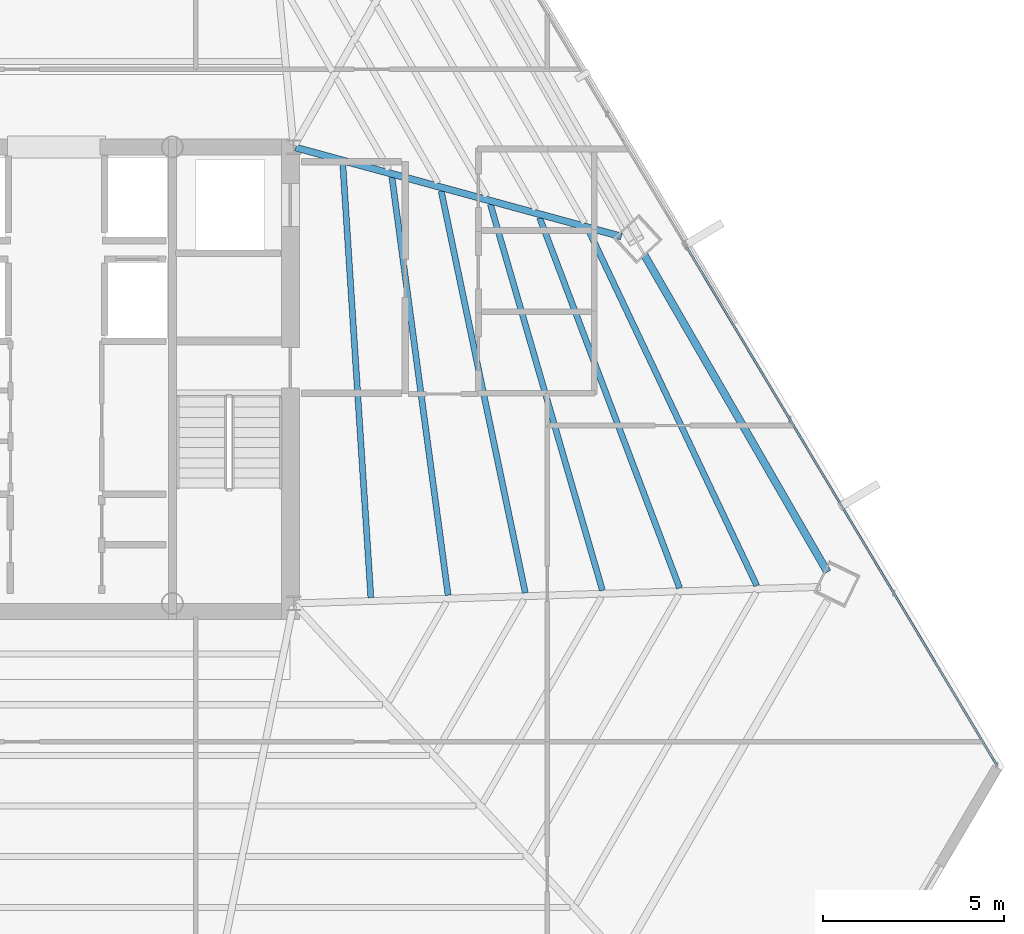
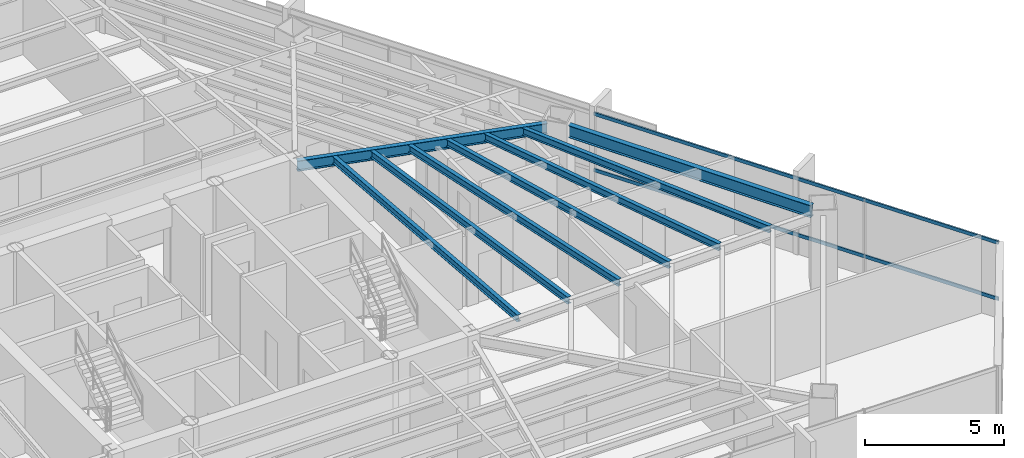
# One storey, part 21 of 41: 8 beams, 2 members, 1 element without a shape of its own.
"""IFC4 building model written with IfcOpenShell, lengths in metres."""

import ifcopenshell
import ifcopenshell.guid

model = None  # the IFC model being written
_history = None  # IfcOwnerHistory: only IFC2X3 demands one
_inside = {}  # id of a spatial element -> (the spatial element, [elements in it])
_under = {}  # id of a project, library or spatial element -> (it, [spatial elements below it])
_declared = {}  # id of a project -> (the project, [libraries it declares])
_typed = {}  # id of a type object -> (the type object, [elements of that type])
_made_of = {}  # id of a material, layer set ... -> (it, [elements and type objects made of it])


def new_model(schema):
    """Start an empty IFC model of exactly this schema.

    Asked for "IFC4X3", IfcOpenShell would pick the latest addendum, in which some entities
    have other attributes; the version numbers below select the first issue.
    IFC2X3 requires an IfcOwnerHistory on every rooted entity: one is made here for all.
    """
    global model, _history
    if schema == "IFC4X3":
        model = ifcopenshell.file(schema_version=(4, 3, 0, 0))
    else:
        model = ifcopenshell.file(schema=schema)
    _inside.clear()
    _under.clear()
    _declared.clear()
    _typed.clear()
    _made_of.clear()
    _history = None
    if model.schema == "IFC2X3":
        org = make("IfcOrganization", Name="unknown")
        user = make(
            "IfcPersonAndOrganization",
            ThePerson=make("IfcPerson", FamilyName="unknown"),
            TheOrganization=org,
        )
        app = make(
            "IfcApplication",
            ApplicationDeveloper=org,
            Version="unknown",
            ApplicationFullName="unknown",
            ApplicationIdentifier="unknown",
        )
        _history = make(
            "IfcOwnerHistory",
            OwningUser=user,
            OwningApplication=app,
            ChangeAction="ADDED",
            CreationDate=0,
        )
    return model


def make(cls, **values):
    """One entity of the class cls with the attributes given. An attribute that is None is left unset."""
    return model.create_entity(
        cls, **{name: value for name, value in values.items() if value is not None}
    )


def rooted(cls, **values):
    """An entity with a GlobalId (a new one), such as an element, a storey or a relation."""
    return make(cls, GlobalId=ifcopenshell.guid.new(), OwnerHistory=_history, **values)


def si_unit(unit_type, name, prefix=None):
    """IfcSIUnit, for example si_unit("LENGTHUNIT", "METRE", prefix="MILLI")."""
    return make("IfcSIUnit", UnitType=unit_type, Prefix=prefix, Name=name)


def assignment(units):
    """IfcUnitAssignment: the units of a project."""
    return None if units is None else make("IfcUnitAssignment", Units=units)


def point(xyz):
    """IfcCartesianPoint."""
    return None if xyz is None else make("IfcCartesianPoint", Coordinates=xyz)


def direction(xyz):
    """IfcDirection."""
    return None if xyz is None else make("IfcDirection", DirectionRatios=xyz)


def frame(location, z_axis=None, x_axis=None):
    """IfcAxis2Placement3D, a coordinate frame: its origin and axes. An axis left out is left unset."""
    return make(
        "IfcAxis2Placement3D",
        Location=point(location),
        Axis=direction(z_axis),
        RefDirection=direction(x_axis),
    )


def frame_2d(location, x_axis=None):
    """IfcAxis2Placement2D, a coordinate frame in the plane: its origin and x axis."""
    return make(
        "IfcAxis2Placement2D", Location=point(location), RefDirection=direction(x_axis)
    )


def origin():
    """The frame at (0, 0, 0) with its axes left unset."""
    return frame((0.0, 0.0, 0.0))


def origin_2d():
    """The frame at (0, 0) in the plane with its x axis left unset."""
    return frame_2d((0.0, 0.0))


def place(relative_to, where):
    """IfcLocalPlacement: puts the frame where relative to a parent placement (None: the world)."""
    return make(
        "IfcLocalPlacement", PlacementRelTo=relative_to, RelativePlacement=where
    )


def context(
    kind, dimensions, precision=None, world=None, true_north=None, identifier=None
):
    """IfcGeometricRepresentationContext, for example the 3D "Model" context."""
    return make(
        "IfcGeometricRepresentationContext",
        ContextIdentifier=identifier,
        ContextType=kind,
        CoordinateSpaceDimension=dimensions,
        Precision=precision,
        WorldCoordinateSystem=world,
        TrueNorth=true_north,
    )


def subcontext(parent, identifier, kind, view, scale=None):
    """IfcGeometricRepresentationSubContext, for example "Body" below "Model"."""
    return make(
        "IfcGeometricRepresentationSubContext",
        ContextIdentifier=identifier,
        ContextType=kind,
        ParentContext=parent,
        TargetScale=scale,
        TargetView=view,
    )


def project(units=None, contexts=None):
    """IfcProject with its units and contexts."""
    return rooted(
        "IfcProject",
        Name="project",
        RepresentationContexts=contexts,
        UnitsInContext=assignment(units),
    )


def spatial(cls, under=None, at=None, **own):
    """A site, building, storey or space (cls), placed at a placement, below another one or the project."""
    s = rooted(cls, ObjectPlacement=at, **own)
    if under is not None:
        _under.setdefault(under.id(), (under, []))[1].append(s)
    return s


def profile(cls, at=None, kind="AREA", **sizes):
    """A parametric profile (cls). Its sizes go by their IFC names, for example OverallWidth=200.0."""
    return make(cls, ProfileType=kind, Position=at, **sizes)


def hollow_rectangle(**sizes):
    """IfcRectangleHollowProfileDef."""
    return profile("IfcRectangleHollowProfileDef", **sizes)


def i_section(**sizes):
    """IfcIShapeProfileDef."""
    return profile("IfcIShapeProfileDef", **sizes)


def extrude(swept, where, along, depth):
    """IfcExtrudedAreaSolid: the profile swept, set in the frame where, extruded along a direction by depth."""
    return make(
        "IfcExtrudedAreaSolid",
        SweptArea=swept,
        Position=where,
        ExtrudedDirection=direction(along),
        Depth=depth,
    )


def shape(context_of_items, identifier, shape_type, items):
    """IfcShapeRepresentation: the items that make up one representation, for example the "Body"."""
    return make(
        "IfcShapeRepresentation",
        ContextOfItems=context_of_items,
        RepresentationIdentifier=identifier,
        RepresentationType=shape_type,
        Items=items,
    )


def source(mapping_origin, context_of_items, identifier, shape_type, items):
    """IfcRepresentationMap: a shape defined once, which mapped items show again and again."""
    return make(
        "IfcRepresentationMap",
        MappingOrigin=mapping_origin,
        MappedRepresentation=shape(context_of_items, identifier, shape_type, items),
    )


def transform(
    local_origin,
    x_axis=None,
    y_axis=None,
    z_axis=None,
    scale=None,
    scale2=None,
    scale3=None,
    uniform=True,
):
    """IfcCartesianTransformationOperator3D, or its non-uniform kind. x_axis, y_axis, z_axis: its Axis1, 2, 3."""
    if uniform:
        return make(
            "IfcCartesianTransformationOperator3D",
            Axis1=direction(x_axis),
            Axis2=direction(y_axis),
            LocalOrigin=point(local_origin),
            Scale=scale,
            Axis3=direction(z_axis),
        )
    return make(
        "IfcCartesianTransformationOperator3DnonUniform",
        Axis1=direction(x_axis),
        Axis2=direction(y_axis),
        LocalOrigin=point(local_origin),
        Scale=scale,
        Axis3=direction(z_axis),
        Scale2=scale2,
        Scale3=scale3,
    )


def mapped(mapping_source, mapping_target):
    """IfcMappedItem: shows the shape of a source again, moved by a transform."""
    return make(
        "IfcMappedItem", MappingSource=mapping_source, MappingTarget=mapping_target
    )


def material(Name=None, Category=None):
    """IfcMaterial."""
    return make("IfcMaterial", Name=Name, Category=Category)


def material_profile(
    of_material, cross_section, Name=None, Category=None, Priority=None
):
    """IfcMaterialProfile: a cross section and its material."""
    return make(
        "IfcMaterialProfile",
        Name=Name,
        Material=of_material,
        Profile=cross_section,
        Priority=Priority,
        Category=Category,
    )


def profile_set(profiles, Name=None, composite=None):
    """IfcMaterialProfileSet."""
    return make(
        "IfcMaterialProfileSet",
        Name=Name,
        MaterialProfiles=profiles,
        CompositeProfile=composite,
    )


def made_of(thing, what):
    """Note that an element or type object is made of a material, layer set ...; save() writes the relation."""
    if what is not None:
        _made_of.setdefault(what.id(), (what, []))[1].append(thing)
    return thing


def type_object(cls, material=None, **own):
    """A type object (cls), such as IfcWallType, which elements share."""
    return made_of(rooted(cls, **own), material)


def type_shapes(of_type, sources):
    """Give a type object the sources (RepresentationMaps) that its elements show as mapped items."""
    of_type.RepresentationMaps = sources


def element(
    cls,
    number,
    at=None,
    inside=None,
    cuts=None,
    type_object=None,
    material=None,
    context=None,
    identifier="Body",
    shape_type=None,
    held_by="IfcProductDefinitionShape",
    body=None,
    shapes=None,
    **own,
):
    """One element of the class cls, such as IfcWall. Its Tag is "e" and its number.

    at: its placement. inside: the storey or other place that contains it. cuts: it is an
    opening in that element (IfcRelVoidsElement). A single representation is given by context,
    identifier, shape_type and body (its items); several are given by shapes. held_by: the class
    of the entity that holds the representations. save() writes the other relations.
    """
    e = rooted(cls, Tag="e%d" % number, ObjectPlacement=at, **own)
    if body is not None:
        shapes = [shape(context, identifier, shape_type, body)]
    if shapes is not None:
        e.Representation = make(held_by, Representations=shapes)
    if inside is not None:
        _inside.setdefault(inside.id(), (inside, []))[1].append(e)
    if cuts is not None:
        rooted(
            "IfcRelVoidsElement", RelatingBuildingElement=cuts, RelatedOpeningElement=e
        )
    if type_object is not None:
        _typed.setdefault(type_object.id(), (type_object, []))[1].append(e)
    return made_of(e, material)


def aggregate(whole, parts):
    """IfcRelAggregates: a whole, such as a stair, and the parts it consists of."""
    return rooted("IfcRelAggregates", RelatingObject=whole, RelatedObjects=parts)


def save(model, path):
    """Write the relations noted so far, then the file.

    IfcRelAggregates (storeys below a building ...), IfcRelContainedInSpatialStructure (elements
    in a storey), IfcRelDefinesByType, IfcRelAssociatesMaterial and IfcRelDeclares: one each for
    every whole, place, type object, material and project.
    """
    for whole, parts in _under.values():
        aggregate(whole, parts)
    for where, things in _inside.values():
        rooted(
            "IfcRelContainedInSpatialStructure",
            RelatedElements=things,
            RelatingStructure=where,
        )
    for kind, things in _typed.values():
        rooted("IfcRelDefinesByType", RelatedObjects=things, RelatingType=kind)
    for what, things in _made_of.values():
        rooted("IfcRelAssociatesMaterial", RelatedObjects=things, RelatingMaterial=what)
    for by, libraries in _declared.values():
        rooted("IfcRelDeclares", RelatingContext=by, RelatedDefinitions=libraries)
    model.write(path)


model = new_model("IFC4")

# Units and contexts
model_context = context("Model", 3, precision=1e-05, world=origin(), true_north=direction((0.0, 1.0)))
body_context = subcontext(model_context, "Body", "Model", "MODEL_VIEW")
ifc_project = project(units=[si_unit("LENGTHUNIT", "METRE"), si_unit("AREAUNIT", "SQUARE_METRE"), si_unit("VOLUMEUNIT", "CUBIC_METRE"), si_unit("PLANEANGLEUNIT", "RADIAN"), si_unit("MASSUNIT", "GRAM", prefix="KILO")], contexts=[model_context])

# Site, building, storey
site_placement = place(None, origin())
site = spatial("IfcSite", under=ifc_project, at=site_placement, CompositionType="ELEMENT")
building_placement = place(site_placement, origin())
building = spatial("IfcBuilding", under=site, at=building_placement, Name="Caelisora Broadcast Tower", CompositionType="ELEMENT")
storey_placement = place(building_placement, frame((0.0, 0.0, 165.800048828125)))
storey = spatial("IfcBuildingStorey", under=building, at=storey_placement, Name="L43", CompositionType="ELEMENT", Elevation=165.800048828125)

# Beams
ifc_material_1 = material(Name="Steel Grade 350 (AS/NZS 3679.1)", Category="steel")
ifc_material_profile_1 = material_profile(ifc_material_1, i_section(OverallWidth=0.208984375, OverallDepth=0.532958984375, WebThickness=0.01025390625, FlangeThickness=0.015625, at=origin_2d()), Name="Steel Grade 350 (AS/NZS 3679.1)")
ifc_profile_set_1 = profile_set([ifc_material_profile_1], Name="Steel Grade 350 (AS/NZS 3679.1)")
beam_type_1 = type_object("IfcBeamType", Name="PG05", PredefinedType="BEAM", material=ifc_profile_set_1)
shared_shape_1 = source(origin(), body_context, "Body", "SweptSolid", [
    extrude(i_section(OverallWidth=0.208984375, OverallDepth=0.532958984375, WebThickness=0.01025390625, FlangeThickness=0.015625, at=origin_2d()), origin(), (0.0, 0.0, 1.0), 10.1083984375),
])
type_shapes(beam_type_1, [shared_shape_1])
beam_1_placement = place(storey_placement, frame((60.23583984375, 18.26708984375, 3.133544921875), z_axis=(-0.499999119609, 0.866025912078, 0.0), x_axis=(-0.866025912078, -0.499999119609, 0.0)))
element("IfcBeam", 1, at=beam_1_placement, inside=storey, type_object=beam_type_1, Name="L43 beam PG05", PredefinedType="BEAM", context=body_context, shape_type="MappedRepresentation", body=[
    mapped(shared_shape_1, transform((0.0, 0.0, 0.0), scale=1.0)),
])
ifc_material_profile_2 = material_profile(ifc_material_1, i_section(OverallWidth=0.19091796875, OverallDepth=0.46044921875, WebThickness=0.010009765625, FlangeThickness=0.01611328125, at=origin_2d()), Name="Steel Grade 350 (AS/NZS 3679.1)")
ifc_profile_set_2 = profile_set([ifc_material_profile_2], Name="Steel Grade 350 (AS/NZS 3679.1)")
beam_type_2 = type_object("IfcBeamType", Name="PG06", PredefinedType="BEAM", material=ifc_profile_set_2)
shared_shape_2 = source(origin(), body_context, "Body", "SweptSolid", [
    extrude(i_section(OverallWidth=0.19091796875, OverallDepth=0.46044921875, WebThickness=0.010009765625, FlangeThickness=0.01611328125, at=origin_2d()), origin(), (0.0, 0.0, 1.0), 9.3173828125),
])
type_shapes(beam_type_2, [shared_shape_2])
beam_2_placement = place(storey_placement, frame((45.557861328125, 29.984130859375, 3.169677734375), z_axis=(0.964697276385, -0.263361282151, 0.0), x_axis=(0.263361282151, 0.964697276385, 0.0)))
element("IfcBeam", 2, at=beam_2_placement, inside=storey, type_object=beam_type_2, Name="L43 beam PG06", PredefinedType="BEAM", context=body_context, shape_type="MappedRepresentation", body=[
    mapped(shared_shape_2, transform((0.0, 0.0, 0.0), scale=1.0)),
])
ifc_material_profile_3 = material_profile(ifc_material_1, i_section(OverallWidth=0.166015625, OverallDepth=0.30712890625, WebThickness=0.006591796875, FlangeThickness=0.01171875, at=origin_2d()), Name="Steel Grade 350 (AS/NZS 3679.1)")
ifc_profile_set_3 = profile_set([ifc_material_profile_3], Name="Steel Grade 350 (AS/NZS 3679.1)")
beam_type_3 = type_object("IfcBeamType", Name="SB03", PredefinedType="JOIST", material=ifc_profile_set_3)
shared_shape_3 = source(origin(), body_context, "Body", "SweptSolid", [
    extrude(i_section(OverallWidth=0.166015625, OverallDepth=0.30712890625, WebThickness=0.006591796875, FlangeThickness=0.01171875, at=origin_2d()), origin(), (0.0, 0.0, 1.0), 11.99951171875),
])
beam_3_placement = place(storey_placement, frame((47.632080078125, 17.559326171875, 3.246337890625), z_axis=(-0.06461888008, 0.997910016152, 0.0), x_axis=(-0.997910016152, -0.06461888008, 0.0)))
element("IfcBeam", 3, at=beam_3_placement, inside=storey, type_object=beam_type_3, Name="L43 beam SB03", PredefinedType="JOIST", context=body_context, shape_type="MappedRepresentation", body=[
    mapped(shared_shape_3, transform((0.0, 0.0, 0.0), scale=1.0)),
])
shared_shape_4 = source(origin(), body_context, "Body", "SweptSolid", [
    extrude(i_section(OverallWidth=0.166015625, OverallDepth=0.30712890625, WebThickness=0.006591796875, FlangeThickness=0.01171875, at=origin_2d()), origin(), (0.0, 0.0, 1.0), 11.640380859375),
])
beam_4_placement = place(storey_placement, frame((49.763671875, 17.626220703125, 3.246337890625), z_axis=(-0.133139055944, 0.991097367458, 0.0), x_axis=(-0.991097367458, -0.133139055944, 0.0)))
element("IfcBeam", 4, at=beam_4_placement, inside=storey, type_object=beam_type_3, Name="L43 beam SB03", PredefinedType="JOIST", context=body_context, shape_type="MappedRepresentation", body=[
    mapped(shared_shape_4, transform((0.0, 0.0, 0.0), scale=1.0)),
])
shared_shape_5 = source(origin(), body_context, "Body", "SweptSolid", [
    extrude(i_section(OverallWidth=0.166015625, OverallDepth=0.30712890625, WebThickness=0.006591796875, FlangeThickness=0.01171875, at=origin_2d()), origin(), (0.0, 0.0, 1.0), 11.339599609375),
])
beam_5_placement = place(storey_placement, frame((51.894775390625, 17.69287109375, 3.246337890625), z_axis=(-0.204836291762, 0.978796247223, 0.0), x_axis=(-0.978796247223, -0.204836291762, 0.0)))
element("IfcBeam", 5, at=beam_5_placement, inside=storey, type_object=beam_type_3, Name="L43 beam SB03", PredefinedType="JOIST", context=body_context, shape_type="MappedRepresentation", body=[
    mapped(shared_shape_5, transform((0.0, 0.0, 0.0), scale=1.0)),
])
shared_shape_6 = source(origin(), body_context, "Body", "SweptSolid", [
    extrude(i_section(OverallWidth=0.166015625, OverallDepth=0.30712890625, WebThickness=0.006591796875, FlangeThickness=0.01171875, at=origin_2d()), origin(), (0.0, 0.0, 1.0), 11.10107421875),
])
beam_6_placement = place(storey_placement, frame((54.025146484375, 17.759521484375, 3.246337890625), z_axis=(-0.278686533305, 0.960382119864, 0.0), x_axis=(-0.960382119864, -0.278686533305, 0.0)))
element("IfcBeam", 6, at=beam_6_placement, inside=storey, type_object=beam_type_3, Name="L43 beam SB03", PredefinedType="JOIST", context=body_context, shape_type="MappedRepresentation", body=[
    mapped(shared_shape_6, transform((0.0, 0.0, 0.0), scale=1.0)),
])
shared_shape_7 = source(origin(), body_context, "Body", "SweptSolid", [
    extrude(i_section(OverallWidth=0.166015625, OverallDepth=0.30712890625, WebThickness=0.006591796875, FlangeThickness=0.01171875, at=origin_2d()), origin(), (0.0, 0.0, 1.0), 10.9287109375),
])
beam_7_placement = place(storey_placement, frame((56.1552734375, 17.826416015625, 3.246337890625), z_axis=(-0.353523945034, 0.935425475539, 0.0), x_axis=(-0.935425475539, -0.353523945034, 0.0)))
element("IfcBeam", 7, at=beam_7_placement, inside=storey, type_object=beam_type_3, Name="L43 beam SB03", PredefinedType="JOIST", context=body_context, shape_type="MappedRepresentation", body=[
    mapped(shared_shape_7, transform((0.0, 0.0, 0.0), scale=1.0)),
])
shared_shape_8 = source(origin(), body_context, "Body", "SweptSolid", [
    extrude(i_section(OverallWidth=0.166015625, OverallDepth=0.30712890625, WebThickness=0.006591796875, FlangeThickness=0.01171875, at=origin_2d()), origin(), (0.0, 0.0, 1.0), 10.824462890625),
])
type_shapes(beam_type_3, [shared_shape_3, shared_shape_4, shared_shape_5, shared_shape_6, shared_shape_7, shared_shape_8])
beam_8_placement = place(storey_placement, frame((58.284423828125, 17.893310546875, 3.246337890625), z_axis=(-0.42779352041, 0.903876487079, 0.0), x_axis=(-0.903876487079, -0.42779352041, 0.0)))
element("IfcBeam", 8, at=beam_8_placement, inside=storey, type_object=beam_type_3, Name="L43 beam SB03", PredefinedType="JOIST", context=body_context, shape_type="MappedRepresentation", body=[
    mapped(shared_shape_8, transform((0.0, 0.0, 0.0), scale=1.0)),
])

# Curtain wall, members
ifc_material_2 = material(Name="Unitised Aluminium and Low-E Glass Curtain Wall", Category="glass")
curtain_wall_type = type_object("IfcCurtainWallType", Name="CW-Z3", PredefinedType="NOTDEFINED", material=ifc_material_2)
curtain_wall_placement = place(storey_placement, origin())
curtain_wall = element("IfcCurtainWall", 9, at=curtain_wall_placement, inside=storey, type_object=curtain_wall_type, Name="L43 curtain wall CW-Z3", PredefinedType="NOTDEFINED")
ifc_material_3 = material(Name="Aluminium 6063-T6 Anodised Terracotta Bronze", Category="aluminium")
ifc_material_profile_4 = material_profile(ifc_material_3, hollow_rectangle(XDim=0.06005859375, YDim=0.14990234375, WallThickness=0.00341796875, at=origin_2d()), Name="Aluminium 6063-T6 Anodised Terracotta Bronze")
ifc_profile_set_4 = profile_set([ifc_material_profile_4], Name="Aluminium 6063-T6 Anodised Terracotta Bronze")
member_type = type_object("IfcMemberType", Name="CWT-02", PredefinedType="USERDEFINED", material=ifc_profile_set_4)
shared_shape_9 = source(origin(), body_context, "Body", "SweptSolid", [
    extrude(hollow_rectangle(XDim=0.06005859375, YDim=0.14990234375, WallThickness=0.00341796875, at=origin_2d()), origin(), (0.0, 0.0, 1.0), 16.67822265625),
])
type_shapes(member_type, [shared_shape_9])
member_1_placement = place(storey_placement, frame((56.34521484375, 27.24609375, 0.849853515625), z_axis=(0.513612881489, -0.858022032333, 0.0), x_axis=(0.858022032333, 0.513612881489, 0.0)))
member_1 = element("IfcMember", 10, at=member_1_placement, type_object=member_type, Name="L43-CW-B03 transom #1", ObjectType="TRANSOM", PredefinedType="USERDEFINED", context=body_context, shape_type="MappedRepresentation", body=[
    mapped(shared_shape_9, transform((0.0, 0.0, 0.0), scale=1.0)),
])
member_2_placement = place(storey_placement, frame((56.34521484375, 27.24609375, 3.320068359375), z_axis=(0.513612881489, -0.858022032333, 0.0), x_axis=(0.858022032333, 0.513612881489, 0.0)))
member_2 = element("IfcMember", 11, at=member_2_placement, type_object=member_type, Name="L43-CW-B03 transom #2", ObjectType="TRANSOM", PredefinedType="USERDEFINED", context=body_context, shape_type="MappedRepresentation", body=[
    mapped(shared_shape_9, transform((0.0, 0.0, 0.0), scale=1.0)),
])
aggregate(curtain_wall, [member_1, member_2])

save(model, "model.ifc")
